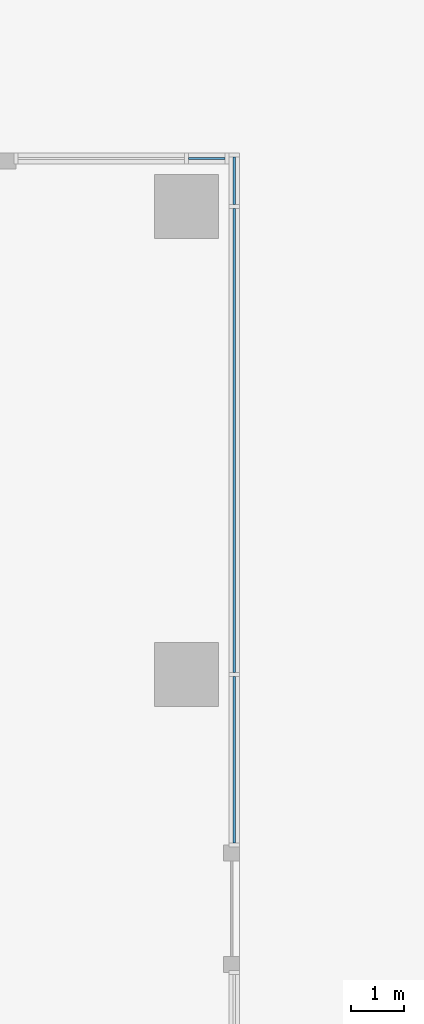
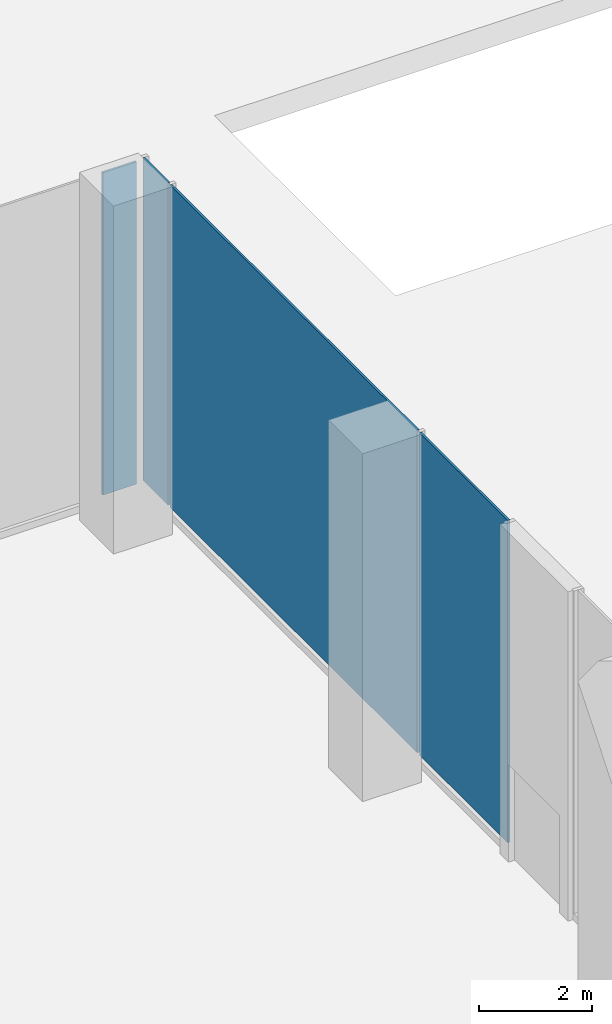
# One storey, part 22 of 41: 4 plates, 2 elements without a shape of their own.
"""IFC4 building model written with IfcOpenShell, lengths in metres."""

from ifc_helpers import new_model, si_unit, direction, frame, origin, origin_2d, place, context, subcontext, project, spatial, rectangle, extrude, source, transform, mapped, material, layer, layer_set, type_object, element, aggregate, save


model = new_model("IFC4")

# Units and contexts
model_context = context("Model", 3, precision=1e-05, world=origin(), true_north=direction((0.0, 1.0)))
body_context = subcontext(model_context, "Body", "Model", "MODEL_VIEW")
ifc_project = project(units=[si_unit("LENGTHUNIT", "METRE"), si_unit("AREAUNIT", "SQUARE_METRE"), si_unit("VOLUMEUNIT", "CUBIC_METRE"), si_unit("PLANEANGLEUNIT", "RADIAN"), si_unit("MASSUNIT", "GRAM", prefix="KILO")], contexts=[model_context])

# Site, building, storey
site_placement = place(None, origin())
site = spatial("IfcSite", under=ifc_project, at=site_placement, CompositionType="ELEMENT")
building_placement = place(site_placement, origin())
building = spatial("IfcBuilding", under=site, at=building_placement, Name="Kemantara Hotel Tower", CompositionType="ELEMENT")
storey_placement = place(building_placement, origin())
storey = spatial("IfcBuildingStorey", under=building, at=storey_placement, Name="L00", CompositionType="ELEMENT", Elevation=0.0)

# Curtain wall, plates
ifc_material = material(Name="Laminated tinted insulated glass 44 mm", Category="glass")
curtain_wall_type = type_object("IfcCurtainWallType", Name="PODIUM GLASS CURTAIN WALL", PredefinedType="USERDEFINED", material=ifc_material)
curtain_wall_1_placement = place(storey_placement, origin())
curtain_wall_1 = element("IfcCurtainWall", 1, at=curtain_wall_1_placement, inside=storey, type_object=curtain_wall_type, Name="CW1 L00 POD-R08-2", ObjectType="PODIUM GLASS CURTAIN WALL", PredefinedType="USERDEFINED")
ifc_layer = layer(ifc_material, 0.0439453125)
ifc_layer_set = layer_set([ifc_layer], Name="Laminated tinted insulated glass 44 mm")
plate_type = type_object("IfcPlateType", Name="PODIUM GLASS CURTAIN WALL PANEL", PredefinedType="CURTAIN_PANEL", material=ifc_layer_set)
shared_shape_1 = source(origin(), body_context, "Body", "SweptSolid", [
    extrude(rectangle(XDim=8.72509765625, YDim=0.0439453125, at=origin_2d()), origin(), (0.0, 0.0, 1.0), 6.949951171875),
])
plate_1_placement = place(storey_placement, frame((63.5, 49.39990234375, 0.14990234375), z_axis=(0.0, 0.0, 1.0), x_axis=(0.0, 1.0, 0.0)))
plate_1 = element("IfcPlate", 2, at=plate_1_placement, type_object=plate_type, Name="CW1 glass panel POD-R08-2.2", PredefinedType="CURTAIN_PANEL", context=body_context, shape_type="MappedRepresentation", body=[
    mapped(shared_shape_1, transform((0.0, 0.0, 0.0))),
])
shared_shape_2 = source(origin(), body_context, "Body", "SweptSolid", [
    extrude(rectangle(XDim=3.125, YDim=0.0439453125, at=origin_2d()), origin(), (0.0, 0.0, 1.0), 6.949951171875),
])
plate_2_placement = place(storey_placement, frame((63.5, 43.39990234375, 0.14990234375), z_axis=(0.0, 0.0, 1.0), x_axis=(0.0, 1.0, 0.0)))
plate_2 = element("IfcPlate", 3, at=plate_2_placement, type_object=plate_type, Name="CW1 glass panel POD-R08-2.1", PredefinedType="CURTAIN_PANEL", context=body_context, shape_type="MappedRepresentation", body=[
    mapped(shared_shape_2, transform((0.0, 0.0, 0.0))),
])
shared_shape_3 = source(origin(), body_context, "Body", "SweptSolid", [
    extrude(rectangle(XDim=0.887451171875, YDim=0.0439453125, at=origin_2d()), origin(), (0.0, 0.0, 1.0), 6.949951171875),
])
plate_3_placement = place(storey_placement, frame((63.5, 54.28125, 0.14990234375), z_axis=(0.0, 0.0, 1.0), x_axis=(0.0, 1.0, 0.0)))
plate_3 = element("IfcPlate", 4, at=plate_3_placement, type_object=plate_type, Name="CW1 glass panel POD-R08-2.3", PredefinedType="CURTAIN_PANEL", context=body_context, shape_type="MappedRepresentation", body=[
    mapped(shared_shape_3, transform((0.0, 0.0, 0.0))),
])
aggregate(curtain_wall_1, [plate_2, plate_1, plate_3])

# Curtain wall, plate
curtain_wall_2_placement = place(storey_placement, origin())
curtain_wall_2 = element("IfcCurtainWall", 5, at=curtain_wall_2_placement, inside=storey, type_object=curtain_wall_type, Name="CW1 L00 POD-R09-1", ObjectType="PODIUM GLASS CURTAIN WALL", PredefinedType="USERDEFINED")
shared_shape_4 = source(origin(), body_context, "Body", "SweptSolid", [
    extrude(rectangle(XDim=0.6875, YDim=0.0439453125, at=origin_2d()), origin(), (0.0, 0.0, 1.0), 6.949951171875),
])
plate_4_placement = place(storey_placement, frame((62.981201171875, 54.699951171875, 0.14990234375), z_axis=(0.0, 0.0, 1.0), x_axis=(-1.0, 0.0, 0.0)))
plate_4 = element("IfcPlate", 6, at=plate_4_placement, type_object=plate_type, Name="CW1 glass panel POD-R09-1.1", PredefinedType="CURTAIN_PANEL", context=body_context, shape_type="MappedRepresentation", body=[
    mapped(shared_shape_4, transform((0.0, 0.0, 0.0))),
])
aggregate(curtain_wall_2, [plate_4])

save(model, "model.ifc")
